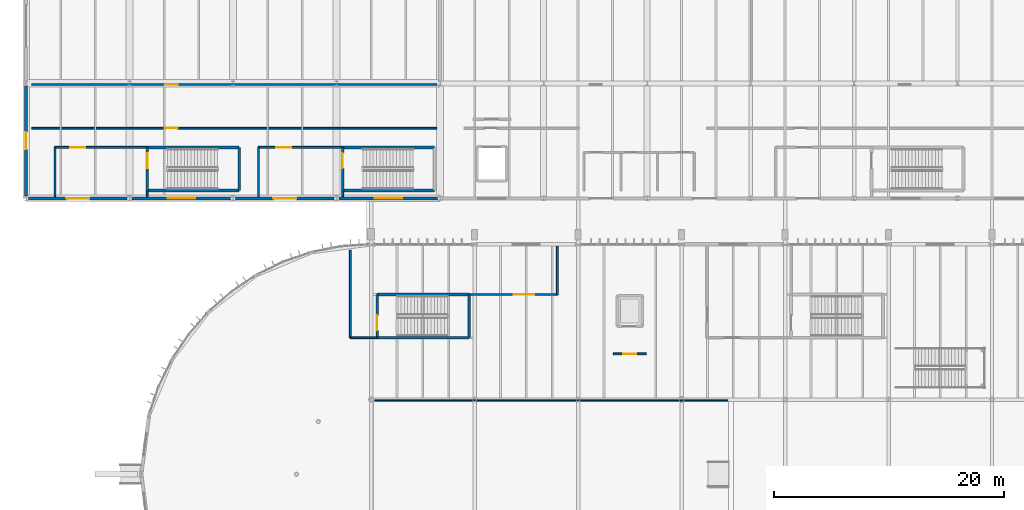
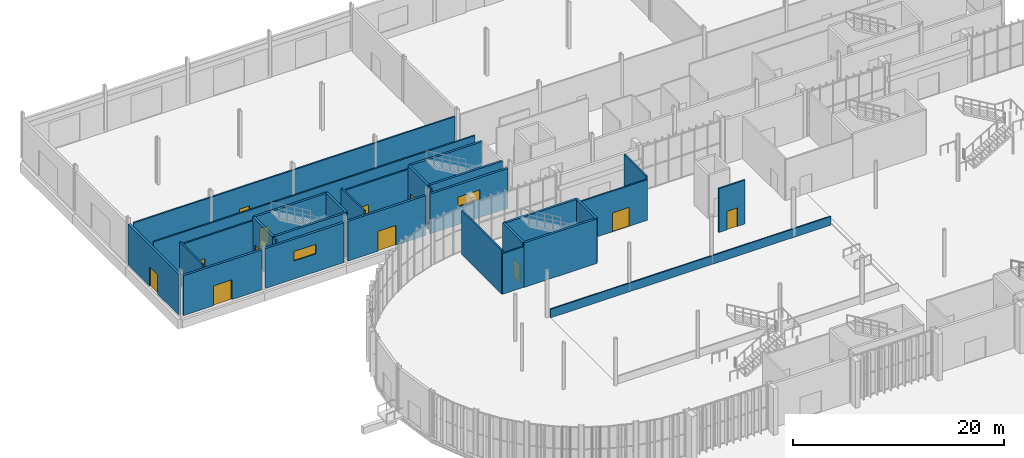
# One storey, part 123 of 158: 30 walls, 12 doors, 2 windows, 14 openings.
"""IFC4 building model written with IfcOpenShell, lengths in metres."""

from ifc_helpers import new_model, si_unit, derived_unit, direction, frame, frame_2d, origin, place, context, subcontext, project, spatial, rectangle, extrude, material, layer, layer_set, type_object, element, fill, save


model = new_model("IFC4")

# Units and contexts
model_context = context("Model", 3, precision=1e-05, world=origin(), true_north=direction((0.0, 1.0)))
body_context = subcontext(model_context, "Body", "Model", "MODEL_VIEW")
ifc_project = project(units=[si_unit("LENGTHUNIT", "METRE"), si_unit("AREAUNIT", "SQUARE_METRE"), si_unit("VOLUMEUNIT", "CUBIC_METRE"), si_unit("PLANEANGLEUNIT", "RADIAN"), si_unit("MASSUNIT", "GRAM", prefix="KILO"), si_unit("THERMODYNAMICTEMPERATUREUNIT", "KELVIN"), si_unit("TIMEUNIT", "SECOND"), derived_unit("THERMALTRANSMITTANCEUNIT", [(si_unit("MASSUNIT", "GRAM", prefix="KILO"), 1), (si_unit("THERMODYNAMICTEMPERATUREUNIT", "KELVIN"), -1), (si_unit("TIMEUNIT", "SECOND"), -3)])], contexts=[model_context])

# Site, building, storey
site_placement = place(None, origin())
site = spatial("IfcSite", under=ifc_project, at=site_placement, CompositionType="ELEMENT")
building_placement = place(site_placement, origin())
building = spatial("IfcBuilding", under=site, at=building_placement, Name="Cambertide Market Hall", CompositionType="ELEMENT")
storey_placement = place(building_placement, origin())
storey = spatial("IfcBuildingStorey", under=building, at=storey_placement, Name="L01", CompositionType="ELEMENT", Elevation=0.0)

# Wall, opening, door
ifc_material_1 = material(Name="Autoclaved Aerated Concrete Blockwork M7.5", Category="masonry")
ifc_layer_1 = layer(ifc_material_1, 0.260009765625, Name="Cold-Chain Insulated Facade Wall 260")
ifc_layer_set_1 = layer_set([ifc_layer_1], Name="Autoclaved Aerated Concrete Blockwork M7.5")
wall_type_1 = type_object("IfcWallType", Name="Cold-Chain Insulated Facade Wall 260", PredefinedType="SOLIDWALL", material=ifc_layer_set_1)
wall_1_placement = place(storey_placement, frame((12.0, 96.219970703125, 0.0), z_axis=(0.0, 0.0, 1.0), x_axis=(0.0, 1.0, 0.0)))
wall_1 = element("IfcWall", 1, at=wall_1_placement, inside=storey, type_object=wall_type_1, Name="Level 1 Exterior Wall EW-L01-V2W-1", PredefinedType="SOLIDWALL", context=body_context, shape_type="SweptSolid", body=[
    extrude(rectangle(XDim=9.56005859375, YDim=0.260009765625, at=frame_2d((4.780029296875, 0.0))), origin(), (0.0, 0.0, 1.0), 4.7099609375),
])
opening_1_placement = place(wall_1_placement, frame((4.030029296875, 0.0, 0.0)))
opening_1 = element("IfcOpeningElement", 2, at=opening_1_placement, cuts=wall_1, Name="Opening ED-04", PredefinedType="OPENING", context=body_context, shape_type="SweptSolid", body=[
    extrude(rectangle(XDim=1.5, YDim=2.25, at=frame_2d((0.75, 1.125))), frame((0.0, 0.139892578125, 0.0), z_axis=(0.0, -1.0, 0.0), x_axis=(1.0, 0.0, 0.0)), (0.0, 0.0, 1.0), 0.280029296875),
])
ifc_material_2 = material(Name="Powder-Coated Galvanized Sheet Metal", Category="metal")
door_type_1 = type_object("IfcDoorType", Name="Stair Final Discharge Exit Door 1500x2250", OperationType="NOTDEFINED", PredefinedType="DOOR", material=ifc_material_2)
door_1_placement = place(opening_1_placement, origin())
door_1 = element("IfcDoor", 3, at=door_1_placement, inside=storey, type_object=door_type_1, Name="Level 1 Exterior Door EW-L01-V2W-1-DR", OperationType="SINGLE_SWING_LEFT", OverallHeight=2.25, OverallWidth=1.5, PredefinedType="DOOR", context=body_context, shape_type="SweptSolid", body=[
    extrude(rectangle(XDim=1.5, YDim=2.25, at=frame_2d((0.75, 1.125))), frame((0.0, 0.02490234375, 0.0), z_axis=(0.0, -1.0, 0.0), x_axis=(1.0, 0.0, 0.0)), (0.0, 0.0, 1.0), 0.050048828125),
])
fill(opening_1, door_1)

ifc_material_3 = material(Name="Autoclaved Aerated Concrete Blockwork M7.5", Category="masonry")
ifc_layer_2 = layer(ifc_material_3, 0.159912109375, Name="Fire-Rated Corridor & Kitchen Partition 160")
ifc_layer_set_2 = layer_set([ifc_layer_2], Name="Autoclaved Aerated Concrete Blockwork M7.5")
wall_type_2 = type_object("IfcWallType", Name="Fire-Rated Corridor & Kitchen Partition 160", PredefinedType="PARTITIONING", material=ifc_layer_set_2)
wall_2_placement = place(storey_placement, frame((12.5, 105.89990234375, 0.0), z_axis=(0.0, 0.0, 1.0), x_axis=(1.0, 0.0, 0.0)))
wall_2 = element("IfcWall", 4, at=wall_2_placement, inside=storey, type_object=wall_type_2, Name="Level 1 Interior Wall IW-L01-V2N-1", PredefinedType="PARTITIONING", context=body_context, shape_type="SweptSolid", body=[
    extrude(rectangle(XDim=35.199951171875, YDim=0.159912109375, at=frame_2d((17.60009765625, 0.0))), origin(), (0.0, 0.0, 1.0), 4.610107421875),
])
opening_2_placement = place(wall_2_placement, frame((11.611083984375, 0.0, 0.0)))
opening_2 = element("IfcOpeningElement", 5, at=opening_2_placement, cuts=wall_2, Name="Opening KD-01", PredefinedType="OPENING", context=body_context, shape_type="SweptSolid", body=[
    extrude(rectangle(XDim=1.050048828125, YDim=2.14990234375, at=frame_2d((0.52490234375, 1.074951171875))), frame((0.0, 0.08984375, 0.0), z_axis=(0.0, -1.0, 0.0), x_axis=(1.0, 0.0, 0.0)), (0.0, 0.0, 1.0), 0.179931640625),
])
ifc_material_4 = material(Name="Stainless Steel Grade 316", Category="metal")
door_type_2 = type_object("IfcDoorType", Name="Kitchen & Lab Fire Door 1050x2150", OperationType="NOTDEFINED", PredefinedType="DOOR", material=ifc_material_4)
door_2_placement = place(opening_2_placement, origin())
door_2 = element("IfcDoor", 6, at=door_2_placement, inside=storey, type_object=door_type_2, Name="Level 1 Door IW-L01-V2N-1-DR1", OperationType="SINGLE_SWING_RIGHT", OverallHeight=2.14990234375, OverallWidth=1.050048828125, PredefinedType="DOOR", context=body_context, shape_type="SweptSolid", body=[
    extrude(rectangle(XDim=1.050048828125, YDim=2.14990234375, at=frame_2d((0.52490234375, 1.074951171875))), frame((0.0, 0.02490234375, 0.0), z_axis=(0.0, -1.0, 0.0), x_axis=(1.0, 0.0, 0.0)), (0.0, 0.0, 1.0), 0.050048828125),
])
fill(opening_2, door_2)

wall_3_placement = place(storey_placement, frame((12.5, 102.10009765625, 0.0), z_axis=(0.0, 0.0, 1.0), x_axis=(1.0, 0.0, 0.0)))
wall_3 = element("IfcWall", 7, at=wall_3_placement, inside=storey, type_object=wall_type_2, Name="Level 1 Interior Wall IW-L01-V2S-1", PredefinedType="PARTITIONING", context=body_context, shape_type="SweptSolid", body=[
    extrude(rectangle(XDim=35.199951171875, YDim=0.159912109375, at=frame_2d((17.60009765625, 0.0))), origin(), (0.0, 0.0, 1.0), 4.7099609375),
])
opening_3_placement = place(wall_3_placement, frame((11.611083984375, 0.0, 0.0)))
opening_3 = element("IfcOpeningElement", 8, at=opening_3_placement, cuts=wall_3, Name="Opening KD-01", PredefinedType="OPENING", context=body_context, shape_type="SweptSolid", body=[
    extrude(rectangle(XDim=1.050048828125, YDim=2.14990234375, at=frame_2d((0.52490234375, 1.074951171875))), frame((0.0, 0.08984375, 0.0), z_axis=(0.0, -1.0, 0.0), x_axis=(1.0, 0.0, 0.0)), (0.0, 0.0, 1.0), 0.179931640625),
])
door_3_placement = place(opening_3_placement, origin())
door_3 = element("IfcDoor", 9, at=door_3_placement, inside=storey, type_object=door_type_2, Name="Level 1 Door IW-L01-V2S-1-DR1", OperationType="SINGLE_SWING_LEFT", OverallHeight=2.14990234375, OverallWidth=1.050048828125, PredefinedType="DOOR", context=body_context, shape_type="SweptSolid", body=[
    extrude(rectangle(XDim=1.050048828125, YDim=2.14990234375, at=frame_2d((0.52490234375, 1.074951171875))), frame((0.0, 0.02490234375, 0.0), z_axis=(0.0, -1.0, 0.0), x_axis=(1.0, 0.0, 0.0)), (0.0, 0.0, 1.0), 0.050048828125),
])
fill(opening_3, door_3)

ifc_material_5 = material(Name="Autoclaved Aerated Concrete Blockwork M7.5", Category="masonry")
ifc_layer_3 = layer(ifc_material_5, 0.25, Name="Insulated AAC Exterior Infill Wall 250")
ifc_layer_set_3 = layer_set([ifc_layer_3], Name="Autoclaved Aerated Concrete Blockwork M7.5")
wall_type_3 = type_object("IfcWallType", Name="Insulated AAC Exterior Infill Wall 250", PredefinedType="SOLIDWALL", material=ifc_layer_set_3)
wall_4_placement = place(storey_placement, frame((20.780029296875, 96.0, 0.0), z_axis=(0.0, 0.0, 1.0), x_axis=(-1.0, 0.0, 0.0)))
wall_4 = element("IfcWall", 10, at=wall_4_placement, inside=storey, type_object=wall_type_3, Name="Level 1 Exterior Wall EW-L01-V2S-1", PredefinedType="SOLIDWALL", context=body_context, shape_type="SweptSolid", body=[
    extrude(rectangle(XDim=8.56005859375, YDim=0.25, at=frame_2d((4.280029296875, 0.0))), origin(), (0.0, 0.0, 1.0), 4.610107421875),
])
opening_4_placement = place(wall_4_placement, frame((3.280029296875, 0.0, 0.0)))
opening_4 = element("IfcOpeningElement", 11, at=opening_4_placement, cuts=wall_4, Name="Opening ED-01", PredefinedType="OPENING", context=body_context, shape_type="SweptSolid", body=[
    extrude(rectangle(XDim=2.0, YDim=2.300048828125, at=frame_2d((1.0, 1.14990234375))), frame((0.0, 0.135009765625, 0.0), z_axis=(0.0, -1.0, 0.0), x_axis=(1.0, 0.0, 0.0)), (0.0, 0.0, 1.0), 0.27001953125),
])
ifc_material_6 = material(Name="Champagne Marine Anodized Aluminium 6063-T6 AA25", Category="aluminium")
door_type_3 = type_object("IfcDoorType", Name="Final Exit Double Door 2000x2300", OperationType="DOUBLE_DOOR_SINGLE_SWING", PredefinedType="DOOR", material=ifc_material_6)
door_4_placement = place(opening_4_placement, origin())
door_4 = element("IfcDoor", 12, at=door_4_placement, inside=storey, type_object=door_type_3, Name="Level 1 Exterior Door EW-L01-V2S-1-DR", OperationType="DOUBLE_DOOR_SINGLE_SWING", OverallHeight=2.300048828125, OverallWidth=2.0, PredefinedType="DOOR", context=body_context, shape_type="SweptSolid", body=[
    extrude(rectangle(XDim=2.0, YDim=2.300048828125, at=frame_2d((1.0, 1.14990234375))), frame((0.0, 0.02490234375, 0.0), z_axis=(0.0, -1.0, 0.0), x_axis=(1.0, 0.0, 0.0)), (0.0, 0.0, 1.0), 0.050048828125),
])
fill(opening_4, door_4)

# Wall, opening, window
wall_5_placement = place(storey_placement, frame((29.780029296875, 96.0, 0.0), z_axis=(0.0, 0.0, 1.0), x_axis=(-1.0, 0.0, 0.0)))
wall_5 = element("IfcWall", 13, at=wall_5_placement, inside=storey, type_object=wall_type_3, Name="Level 1 Exterior Wall EW-L01-V2S-2", PredefinedType="SOLIDWALL", context=body_context, shape_type="SweptSolid", body=[
    extrude(rectangle(XDim=8.56005859375, YDim=0.25, at=frame_2d((4.280029296875, 0.0))), origin(), (0.0, 0.0, 1.0), 4.610107421875),
])
opening_5_placement = place(wall_5_placement, frame((3.080078125, 0.0, 2.10009765625)))
opening_5 = element("IfcOpeningElement", 14, at=opening_5_placement, cuts=wall_5, Name="Opening WN-01", PredefinedType="OPENING", context=body_context, shape_type="SweptSolid", body=[
    extrude(rectangle(XDim=2.39990234375, YDim=1.10009765625, at=frame_2d((1.199951171875, 0.550048828125))), frame((0.0, 0.135009765625, 0.0), z_axis=(0.0, -1.0, 0.0), x_axis=(1.0, 0.0, 0.0)), (0.0, 0.0, 1.0), 0.27001953125),
])
ifc_material_7 = material(Name="Low-E Laminated Insulated Glass", Category="glass")
window_type = type_object("IfcWindowType", Name="Service Arcade Clerestory Window 2400x1100", PartitioningType="SINGLE_PANEL", PredefinedType="WINDOW", material=ifc_material_7)
window_1_placement = place(opening_5_placement, origin())
window_1 = element("IfcWindow", 15, at=window_1_placement, inside=storey, type_object=window_type, Name="Level 1 Window EW-L01-V2S-2-WN", OverallHeight=1.10009765625, OverallWidth=2.39990234375, PartitioningType="SINGLE_PANEL", PredefinedType="WINDOW", context=body_context, shape_type="SweptSolid", body=[
    extrude(rectangle(XDim=2.39990234375, YDim=1.10009765625, at=frame_2d((1.199951171875, 0.550048828125))), frame((0.0, 0.030029296875, 0.0), z_axis=(0.0, -1.0, 0.0), x_axis=(1.0, 0.0, 0.0)), (0.0, 0.0, 1.0), 0.06005859375),
])
fill(opening_5, window_1)

# Wall, opening, door
wall_6_placement = place(storey_placement, frame((38.780029296875, 96.0, 0.0), z_axis=(0.0, 0.0, 1.0), x_axis=(-1.0, 0.0, 0.0)))
wall_6 = element("IfcWall", 16, at=wall_6_placement, inside=storey, type_object=wall_type_3, Name="Level 1 Exterior Wall EW-L01-V2S-3", PredefinedType="SOLIDWALL", context=body_context, shape_type="SweptSolid", body=[
    extrude(rectangle(XDim=8.56005859375, YDim=0.25, at=frame_2d((4.280029296875, 0.0))), origin(), (0.0, 0.0, 1.0), 4.610107421875),
])
opening_6_placement = place(wall_6_placement, frame((3.280029296875, 0.0, 0.0)))
opening_6 = element("IfcOpeningElement", 17, at=opening_6_placement, cuts=wall_6, Name="Opening ED-01", PredefinedType="OPENING", context=body_context, shape_type="SweptSolid", body=[
    extrude(rectangle(XDim=2.0, YDim=2.300048828125, at=frame_2d((1.0, 1.14990234375))), frame((0.0, 0.135009765625, 0.0), z_axis=(0.0, -1.0, 0.0), x_axis=(1.0, 0.0, 0.0)), (0.0, 0.0, 1.0), 0.27001953125),
])
door_5_placement = place(opening_6_placement, origin())
door_5 = element("IfcDoor", 18, at=door_5_placement, inside=storey, type_object=door_type_3, Name="Level 1 Exterior Door EW-L01-V2S-3-DR", OperationType="DOUBLE_DOOR_SINGLE_SWING", OverallHeight=2.300048828125, OverallWidth=2.0, PredefinedType="DOOR", context=body_context, shape_type="SweptSolid", body=[
    extrude(rectangle(XDim=2.0, YDim=2.300048828125, at=frame_2d((1.0, 1.14990234375))), frame((0.0, 0.02490234375, 0.0), z_axis=(0.0, -1.0, 0.0), x_axis=(1.0, 0.0, 0.0)), (0.0, 0.0, 1.0), 0.050048828125),
])
fill(opening_6, door_5)

# Wall, opening, window
wall_7_placement = place(storey_placement, frame((47.780029296875, 96.0, 0.0), z_axis=(0.0, 0.0, 1.0), x_axis=(-1.0, 0.0, 0.0)))
wall_7 = element("IfcWall", 19, at=wall_7_placement, inside=storey, type_object=wall_type_3, Name="Level 1 Exterior Wall EW-L01-V2S-4", PredefinedType="SOLIDWALL", context=body_context, shape_type="SweptSolid", body=[
    extrude(rectangle(XDim=8.56005859375, YDim=0.25, at=frame_2d((4.280029296875, 0.0))), origin(), (0.0, 0.0, 1.0), 4.610107421875),
])
opening_7_placement = place(wall_7_placement, frame((3.080078125, 0.0, 2.10009765625)))
opening_7 = element("IfcOpeningElement", 20, at=opening_7_placement, cuts=wall_7, Name="Opening WN-01", PredefinedType="OPENING", context=body_context, shape_type="SweptSolid", body=[
    extrude(rectangle(XDim=2.39990234375, YDim=1.10009765625, at=frame_2d((1.199951171875, 0.550048828125))), frame((0.0, 0.135009765625, 0.0), z_axis=(0.0, -1.0, 0.0), x_axis=(1.0, 0.0, 0.0)), (0.0, 0.0, 1.0), 0.27001953125),
])
window_2_placement = place(opening_7_placement, origin())
window_2 = element("IfcWindow", 21, at=window_2_placement, inside=storey, type_object=window_type, Name="Level 1 Window EW-L01-V2S-4-WN", OverallHeight=1.10009765625, OverallWidth=2.39990234375, PartitioningType="SINGLE_PANEL", PredefinedType="WINDOW", context=body_context, shape_type="SweptSolid", body=[
    extrude(rectangle(XDim=2.39990234375, YDim=1.10009765625, at=frame_2d((1.199951171875, 0.550048828125))), frame((0.0, 0.030029296875, 0.0), z_axis=(0.0, -1.0, 0.0), x_axis=(1.0, 0.0, 0.0)), (0.0, 0.0, 1.0), 0.06005859375),
])
fill(opening_7, window_2)

# Wall, opening, door
ifc_material_8 = material(Name="Autoclaved Aerated Concrete Blockwork M7.5", Category="masonry")
ifc_layer_4 = layer(ifc_material_8, 0.169921875, Name="Lift Lobby Fire Partition 170")
ifc_layer_set_4 = layer_set([ifc_layer_4], Name="Autoclaved Aerated Concrete Blockwork M7.5")
wall_type_4 = type_object("IfcWallType", Name="Lift Lobby Fire Partition 170", PredefinedType="PARTITIONING", material=ifc_layer_set_4)
wall_8_placement = place(storey_placement, frame((65.929931640625, 82.469970703125, 0.0), z_axis=(0.0, 0.0, 1.0), x_axis=(-1.0, 0.0, 0.0)))
wall_8 = element("IfcWall", 22, at=wall_8_placement, inside=storey, type_object=wall_type_4, Name="Level 1 Interior Wall LLW-LP-01-L01", PredefinedType="PARTITIONING", context=body_context, shape_type="SweptSolid", body=[
    extrude(rectangle(XDim=2.85986328125, YDim=0.169921875, at=frame_2d((1.429931640625, 0.0))), origin(), (0.0, 0.0, 1.0), 5.080078125),
])
opening_8_placement = place(wall_8_placement, frame((0.85498046875, 0.0, 0.0)))
opening_8 = element("IfcOpeningElement", 23, at=opening_8_placement, cuts=wall_8, Name="Opening KD-02", PredefinedType="OPENING", context=body_context, shape_type="SweptSolid", body=[
    extrude(rectangle(XDim=1.14990234375, YDim=2.14990234375, at=frame_2d((0.574951171875, 1.074951171875))), frame((0.0, 0.094970703125, 0.0), z_axis=(0.0, -1.0, 0.0), x_axis=(1.0, 0.0, 0.0)), (0.0, 0.0, 1.0), 0.18994140625),
])
ifc_material_9 = material(Name="Stainless Steel Grade 316", Category="metal")
door_type_4 = type_object("IfcDoorType", Name="Lift Lobby Smoke-Stop Door 1150x2150", OperationType="NOTDEFINED", PredefinedType="DOOR", material=ifc_material_9)
door_6_placement = place(opening_8_placement, origin())
door_6 = element("IfcDoor", 24, at=door_6_placement, inside=storey, type_object=door_type_4, Name="Level 1 Door LLW-LP-01-L01-DR1", OperationType="SINGLE_SWING_LEFT", OverallHeight=2.14990234375, OverallWidth=1.14990234375, PredefinedType="DOOR", context=body_context, shape_type="SweptSolid", body=[
    extrude(rectangle(XDim=1.14990234375, YDim=2.14990234375, at=frame_2d((0.574951171875, 1.074951171875))), frame((0.0, 0.02490234375, 0.0), z_axis=(0.0, -1.0, 0.0), x_axis=(1.0, 0.0, 0.0)), (0.0, 0.0, 1.0), 0.050048828125),
])
fill(opening_8, door_6)

# Walls
ifc_material_10 = material(Name="Autoclaved Aerated Concrete Blockwork M7.5", Category="masonry")
ifc_layer_5 = layer(ifc_material_10, 0.1650390625, Name="Protected Exit Passageway Fire Wall 165")
ifc_layer_set_5 = layer_set([ifc_layer_5], Name="Autoclaved Aerated Concrete Blockwork M7.5")
wall_type_5 = type_object("IfcWallType", Name="Protected Exit Passageway Fire Wall 165", PredefinedType="PARTITIONING", material=ifc_layer_set_5)
wall_9_placement = place(storey_placement, frame((40.199951171875, 83.875, 0.0), z_axis=(0.0, 0.0, 1.0), x_axis=(0.0, 1.0, 0.0)))
element("IfcWall", 25, at=wall_9_placement, inside=storey, type_object=wall_type_5, Name="Level 1 Interior Wall EXW-ST01-W", PredefinedType="PARTITIONING", context=body_context, shape_type="SweptSolid", body=[
    extrude(rectangle(XDim=7.625, YDim=0.1650390625, at=frame_2d((3.8125, 0.0))), origin(), (0.0, 0.0, 1.0), 5.080078125),
])
wall_10_placement = place(storey_placement, frame((40.199951171875, 83.875, 0.0), z_axis=(0.0, 0.0, 1.0), x_axis=(1.0, 0.0, 0.0)))
element("IfcWall", 26, at=wall_10_placement, inside=storey, type_object=wall_type_5, Name="Level 1 Interior Wall EXW-ST01-S1", PredefinedType="PARTITIONING", context=body_context, shape_type="SweptSolid", body=[
    extrude(rectangle(XDim=2.324951171875, YDim=0.1650390625, at=frame_2d((1.16259765625, 0.0))), origin(), (0.0, 0.0, 1.0), 4.7099609375),
])

# Wall, opening, door
wall_11_placement = place(storey_placement, frame((50.52490234375, 87.625, 0.0), z_axis=(0.0, 0.0, 1.0), x_axis=(1.0, 0.0, 0.0)))
wall_11 = element("IfcWall", 27, at=wall_11_placement, inside=storey, type_object=wall_type_5, Name="Level 1 Interior Wall EXW-ST01-S2", PredefinedType="PARTITIONING", context=body_context, shape_type="SweptSolid", body=[
    extrude(rectangle(XDim=7.675048828125, YDim=0.1650390625, at=frame_2d((3.83740234375, 0.0))), origin(), (0.0, 0.0, 1.0), 4.7099609375),
])
opening_9_placement = place(wall_11_placement, frame((3.87744140625, 0.0, 0.0)))
opening_9 = element("IfcOpeningElement", 28, at=opening_9_placement, cuts=wall_11, Name="Opening FD-02", PredefinedType="OPENING", context=body_context, shape_type="SweptSolid", body=[
    extrude(rectangle(XDim=1.800048828125, YDim=2.199951171875, at=frame_2d((0.89990234375, 1.10009765625))), frame((0.0, 0.092529296875, 0.0), z_axis=(0.0, -1.0, 0.0), x_axis=(1.0, 0.0, 0.0)), (0.0, 0.0, 1.0), 0.18505859375),
])
ifc_material_11 = material(Name="Powder-Coated Galvanized Sheet Metal", Category="metal")
door_type_5 = type_object("IfcDoorType", Name="Compartment Double Fire Door 1800x2200", OperationType="DOUBLE_DOOR_SINGLE_SWING", PredefinedType="DOOR", material=ifc_material_11)
door_7_placement = place(opening_9_placement, origin())
door_7 = element("IfcDoor", 29, at=door_7_placement, inside=storey, type_object=door_type_5, Name="Level 1 Door EXW-ST01-S2-DR1", OperationType="DOUBLE_DOOR_SINGLE_SWING", OverallHeight=2.199951171875, OverallWidth=1.800048828125, PredefinedType="DOOR", context=body_context, shape_type="SweptSolid", body=[
    extrude(rectangle(XDim=1.800048828125, YDim=2.199951171875, at=frame_2d((0.89990234375, 1.10009765625))), frame((0.0, 0.02490234375, 0.0), z_axis=(0.0, -1.0, 0.0), x_axis=(1.0, 0.0, 0.0)), (0.0, 0.0, 1.0), 0.050048828125),
])
fill(opening_9, door_7)

# Walls
wall_12_placement = place(storey_placement, frame((58.199951171875, 87.625, 0.0), z_axis=(0.0, 0.0, 1.0), x_axis=(0.0, 1.0, 0.0)))
element("IfcWall", 30, at=wall_12_placement, inside=storey, type_object=wall_type_5, Name="Level 1 Interior Wall EXW-ST01-E", PredefinedType="PARTITIONING", context=body_context, shape_type="SweptSolid", body=[
    extrude(rectangle(XDim=4.22509765625, YDim=0.1650390625, at=frame_2d((2.112548828125, 0.0))), origin(), (0.0, 0.0, 1.0), 5.080078125),
])
wall_13_placement = place(storey_placement, frame((14.5, 96.14990234375, 0.0), z_axis=(0.0, 0.0, 1.0), x_axis=(0.0, 1.0, 0.0)))
element("IfcWall", 31, at=wall_13_placement, inside=storey, type_object=wall_type_5, Name="Level 1 Interior Wall EXW-ST03-W", PredefinedType="PARTITIONING", context=body_context, shape_type="SweptSolid", body=[
    extrude(rectangle(XDim=4.275146484375, YDim=0.1650390625, at=frame_2d((2.1376953125, 0.0))), origin(), (0.0, 0.0, 1.0), 5.02001953125),
])

# Wall, opening, door
wall_14_placement = place(storey_placement, frame((14.5, 100.425048828125, 0.0), z_axis=(0.0, 0.0, 1.0), x_axis=(1.0, 0.0, 0.0)))
wall_14 = element("IfcWall", 32, at=wall_14_placement, inside=storey, type_object=wall_type_5, Name="Level 1 Interior Wall EXW-ST03-N", PredefinedType="PARTITIONING", context=body_context, shape_type="SweptSolid", body=[
    extrude(rectangle(XDim=8.02490234375, YDim=0.1650390625, at=frame_2d((4.012451171875, 0.0))), origin(), (0.0, 0.0, 1.0), 4.7099609375),
])
opening_10_placement = place(wall_14_placement, frame((1.344970703125, 0.0, 0.0)))
opening_10 = element("IfcOpeningElement", 33, at=opening_10_placement, cuts=wall_14, Name="Opening FD-01", PredefinedType="OPENING", context=body_context, shape_type="SweptSolid", body=[
    extrude(rectangle(XDim=1.300048828125, YDim=2.14990234375, at=frame_2d((0.64990234375, 1.074951171875))), frame((0.0, 0.092529296875, 0.0), z_axis=(0.0, -1.0, 0.0), x_axis=(1.0, 0.0, 0.0)), (0.0, 0.0, 1.0), 0.18505859375),
])
ifc_material_12 = material(Name="Powder-Coated Galvanized Sheet Metal", Category="metal")
door_type_6 = type_object("IfcDoorType", Name="Stair Core Fire Door 1300x2150", OperationType="NOTDEFINED", PredefinedType="DOOR", material=ifc_material_12)
door_8_placement = place(opening_10_placement, origin())
door_8 = element("IfcDoor", 34, at=door_8_placement, inside=storey, type_object=door_type_6, Name="Level 1 Door EXW-ST03-N-DR1", OperationType="SINGLE_SWING_RIGHT", OverallHeight=2.14990234375, OverallWidth=1.300048828125, PredefinedType="DOOR", context=body_context, shape_type="SweptSolid", body=[
    extrude(rectangle(XDim=1.300048828125, YDim=2.14990234375, at=frame_2d((0.64990234375, 1.074951171875))), frame((0.0, 0.02490234375, 0.0), z_axis=(0.0, -1.0, 0.0), x_axis=(1.0, 0.0, 0.0)), (0.0, 0.0, 1.0), 0.050048828125),
])
fill(opening_10, door_8)

# Walls
wall_15_placement = place(storey_placement, frame((22.52490234375, 96.14990234375, 0.0), z_axis=(0.0, 0.0, 1.0), x_axis=(0.0, 1.0, 0.0)))
element("IfcWall", 35, at=wall_15_placement, inside=storey, type_object=wall_type_5, Name="Level 1 Interior Wall EXW-ST03-E", PredefinedType="PARTITIONING", context=body_context, shape_type="SweptSolid", body=[
    extrude(rectangle(XDim=0.525146484375, YDim=0.1650390625, at=frame_2d((0.2626953125, 0.0))), origin(), (0.0, 0.0, 1.0), 5.02001953125),
])
wall_16_placement = place(storey_placement, frame((32.199951171875, 96.14990234375, 0.0), z_axis=(0.0, 0.0, 1.0), x_axis=(0.0, 1.0, 0.0)))
element("IfcWall", 36, at=wall_16_placement, inside=storey, type_object=wall_type_5, Name="Level 1 Interior Wall EXW-ST03B-W", PredefinedType="PARTITIONING", context=body_context, shape_type="SweptSolid", body=[
    extrude(rectangle(XDim=4.275146484375, YDim=0.1650390625, at=frame_2d((2.1376953125, 0.0))), origin(), (0.0, 0.0, 1.0), 5.02001953125),
])

# Wall, opening, door
wall_17_placement = place(storey_placement, frame((32.199951171875, 100.425048828125, 0.0), z_axis=(0.0, 0.0, 1.0), x_axis=(1.0, 0.0, 0.0)))
wall_17 = element("IfcWall", 37, at=wall_17_placement, inside=storey, type_object=wall_type_5, Name="Level 1 Interior Wall EXW-ST03B-N", PredefinedType="PARTITIONING", context=body_context, shape_type="SweptSolid", body=[
    extrude(rectangle(XDim=7.324951171875, YDim=0.1650390625, at=frame_2d((3.66259765625, 0.0))), origin(), (0.0, 0.0, 1.0), 4.7099609375),
])
opening_11_placement = place(wall_17_placement, frame((1.56640625, 0.0, 0.0)))
opening_11 = element("IfcOpeningElement", 38, at=opening_11_placement, cuts=wall_17, Name="Opening FD-01", PredefinedType="OPENING", context=body_context, shape_type="SweptSolid", body=[
    extrude(rectangle(XDim=1.300048828125, YDim=2.14990234375, at=frame_2d((0.64990234375, 1.074951171875))), frame((0.0, 0.092529296875, 0.0), z_axis=(0.0, -1.0, 0.0), x_axis=(1.0, 0.0, 0.0)), (0.0, 0.0, 1.0), 0.18505859375),
])
door_9_placement = place(opening_11_placement, origin())
door_9 = element("IfcDoor", 39, at=door_9_placement, inside=storey, type_object=door_type_6, Name="Level 1 Door EXW-ST03B-N-DR1", OperationType="SINGLE_SWING_LEFT", OverallHeight=2.14990234375, OverallWidth=1.300048828125, PredefinedType="DOOR", context=body_context, shape_type="SweptSolid", body=[
    extrude(rectangle(XDim=1.300048828125, YDim=2.14990234375, at=frame_2d((0.64990234375, 1.074951171875))), frame((0.0, 0.02490234375, 0.0), z_axis=(0.0, -1.0, 0.0), x_axis=(1.0, 0.0, 0.0)), (0.0, 0.0, 1.0), 0.050048828125),
])
fill(opening_11, door_9)

# Wall
wall_18_placement = place(storey_placement, frame((39.52490234375, 96.14990234375, 0.0), z_axis=(0.0, 0.0, 1.0), x_axis=(0.0, 1.0, 0.0)))
element("IfcWall", 40, at=wall_18_placement, inside=storey, type_object=wall_type_5, Name="Level 1 Interior Wall EXW-ST03B-E", PredefinedType="PARTITIONING", context=body_context, shape_type="SweptSolid", body=[
    extrude(rectangle(XDim=0.525146484375, YDim=0.1650390625, at=frame_2d((0.2626953125, 0.0))), origin(), (0.0, 0.0, 1.0), 5.02001953125),
])

# Wall, opening, door
ifc_material_13 = material(Name="Concrete B35", Category="concrete")
ifc_layer_6 = layer(ifc_material_13, 0.239990234375, Name="Stair & Lift Core Shaft Wall 240")
ifc_layer_set_6 = layer_set([ifc_layer_6], Name="Concrete B35")
wall_type_6 = type_object("IfcWallType", Name="Stair & Lift Core Shaft Wall 240", PredefinedType="SOLIDWALL", material=ifc_layer_set_6)
wall_19_placement = place(storey_placement, frame((42.52490234375, 83.875, 0.0), z_axis=(0.0, 0.0, 1.0), x_axis=(0.0, 1.0, 0.0)))
wall_19 = element("IfcWall", 41, at=wall_19_placement, inside=storey, type_object=wall_type_6, Name="Level 1 Interior Wall SHW-ST-01-L01-NEAR", PredefinedType="SOLIDWALL", context=body_context, shape_type="SweptSolid", body=[
    extrude(rectangle(XDim=3.75, YDim=0.239990234375, at=frame_2d((1.875, 0.0))), origin(), (0.0, 0.0, 1.0), 5.159912109375),
])
opening_12_placement = place(wall_19_placement, frame((0.636962890625, 0.0, 0.0)))
opening_12 = element("IfcOpeningElement", 42, at=opening_12_placement, cuts=wall_19, Name="Opening FD-01", PredefinedType="OPENING", context=body_context, shape_type="SweptSolid", body=[
    extrude(rectangle(XDim=1.300048828125, YDim=2.14990234375, at=frame_2d((0.64990234375, 1.074951171875))), frame((0.0, 0.1298828125, 0.0), z_axis=(0.0, -1.0, 0.0), x_axis=(1.0, 0.0, 0.0)), (0.0, 0.0, 1.0), 0.260009765625),
])
door_10_placement = place(opening_12_placement, origin())
door_10 = element("IfcDoor", 43, at=door_10_placement, inside=storey, type_object=door_type_6, Name="Level 1 Door SHW-ST-01-L01-NEAR-DR1", OperationType="SINGLE_SWING_LEFT", OverallHeight=2.14990234375, OverallWidth=1.300048828125, PredefinedType="DOOR", context=body_context, shape_type="SweptSolid", body=[
    extrude(rectangle(XDim=1.300048828125, YDim=2.14990234375, at=frame_2d((0.64990234375, 1.074951171875))), frame((0.0, 0.02490234375, 0.0), z_axis=(0.0, -1.0, 0.0), x_axis=(1.0, 0.0, 0.0)), (0.0, 0.0, 1.0), 0.050048828125),
])
fill(opening_12, door_10)

# Walls
wall_20_placement = place(storey_placement, frame((50.52490234375, 83.875, 0.0), z_axis=(0.0, 0.0, 1.0), x_axis=(-1.0, 0.0, 0.0)))
element("IfcWall", 44, at=wall_20_placement, inside=storey, type_object=wall_type_6, Name="Level 1 Interior Wall SHW-ST-01-L01-L", PredefinedType="SOLIDWALL", context=body_context, shape_type="SweptSolid", body=[
    extrude(rectangle(XDim=8.0, YDim=0.239990234375, at=frame_2d((4.0, 0.0))), origin(), (0.0, 0.0, 1.0), 5.159912109375),
])
wall_21_placement = place(storey_placement, frame((50.52490234375, 87.625, 0.0), z_axis=(0.0, 0.0, 1.0), x_axis=(0.0, -1.0, 0.0)))
element("IfcWall", 45, at=wall_21_placement, inside=storey, type_object=wall_type_6, Name="Level 1 Interior Wall SHW-ST-01-L01-FAR", PredefinedType="SOLIDWALL", context=body_context, shape_type="SweptSolid", body=[
    extrude(rectangle(XDim=3.75, YDim=0.239990234375, at=frame_2d((1.875, 0.0))), origin(), (0.0, 0.0, 1.0), 5.159912109375),
])
wall_22_placement = place(storey_placement, frame((42.52490234375, 87.625, 0.0), z_axis=(0.0, 0.0, 1.0), x_axis=(1.0, 0.0, 0.0)))
element("IfcWall", 46, at=wall_22_placement, inside=storey, type_object=wall_type_6, Name="Level 1 Interior Wall SHW-ST-01-L01-R", PredefinedType="SOLIDWALL", context=body_context, shape_type="SweptSolid", body=[
    extrude(rectangle(XDim=8.0, YDim=0.239990234375, at=frame_2d((4.0, 0.0))), origin(), (0.0, 0.0, 1.0), 5.159912109375),
])

# Wall, opening, door
wall_23_placement = place(storey_placement, frame((22.52490234375, 96.675048828125, 0.0), z_axis=(0.0, 0.0, 1.0), x_axis=(0.0, 1.0, 0.0)))
wall_23 = element("IfcWall", 47, at=wall_23_placement, inside=storey, type_object=wall_type_6, Name="Level 1 Interior Wall SHW-ST-03-L01-NEAR", PredefinedType="SOLIDWALL", context=body_context, shape_type="SweptSolid", body=[
    extrude(rectangle(XDim=3.75, YDim=0.239990234375, at=frame_2d((1.875, 0.0))), origin(), (0.0, 0.0, 1.0), 5.110107421875),
])
opening_13_placement = place(wall_23_placement, frame((1.9599609375, 0.0, 0.0)))
opening_13 = element("IfcOpeningElement", 48, at=opening_13_placement, cuts=wall_23, Name="Opening FD-01", PredefinedType="OPENING", context=body_context, shape_type="SweptSolid", body=[
    extrude(rectangle(XDim=1.300048828125, YDim=2.14990234375, at=frame_2d((0.64990234375, 1.074951171875))), frame((0.0, 0.1298828125, 0.0), z_axis=(0.0, -1.0, 0.0), x_axis=(1.0, 0.0, 0.0)), (0.0, 0.0, 1.0), 0.260009765625),
])
door_11_placement = place(opening_13_placement, origin())
door_11 = element("IfcDoor", 49, at=door_11_placement, inside=storey, type_object=door_type_6, Name="Level 1 Door SHW-ST-03-L01-NEAR-DR1", OperationType="SINGLE_SWING_RIGHT", OverallHeight=2.14990234375, OverallWidth=1.300048828125, PredefinedType="DOOR", context=body_context, shape_type="SweptSolid", body=[
    extrude(rectangle(XDim=1.300048828125, YDim=2.14990234375, at=frame_2d((0.64990234375, 1.074951171875))), frame((0.0, 0.02490234375, 0.0), z_axis=(0.0, -1.0, 0.0), x_axis=(1.0, 0.0, 0.0)), (0.0, 0.0, 1.0), 0.050048828125),
])
fill(opening_13, door_11)

# Walls
wall_24_placement = place(storey_placement, frame((30.52490234375, 96.675048828125, 0.0), z_axis=(0.0, 0.0, 1.0), x_axis=(-1.0, 0.0, 0.0)))
element("IfcWall", 50, at=wall_24_placement, inside=storey, type_object=wall_type_6, Name="Level 1 Interior Wall SHW-ST-03-L01-L", PredefinedType="SOLIDWALL", context=body_context, shape_type="SweptSolid", body=[
    extrude(rectangle(XDim=8.0, YDim=0.239990234375, at=frame_2d((4.0, 0.0))), origin(), (0.0, 0.0, 1.0), 5.110107421875),
])
wall_25_placement = place(storey_placement, frame((30.52490234375, 100.425048828125, 0.0), z_axis=(0.0, 0.0, 1.0), x_axis=(0.0, -1.0, 0.0)))
element("IfcWall", 51, at=wall_25_placement, inside=storey, type_object=wall_type_6, Name="Level 1 Interior Wall SHW-ST-03-L01-FAR", PredefinedType="SOLIDWALL", context=body_context, shape_type="SweptSolid", body=[
    extrude(rectangle(XDim=3.75, YDim=0.239990234375, at=frame_2d((1.875, 0.0))), origin(), (0.0, 0.0, 1.0), 5.110107421875),
])
wall_26_placement = place(storey_placement, frame((22.52490234375, 100.425048828125, 0.0), z_axis=(0.0, 0.0, 1.0), x_axis=(1.0, 0.0, 0.0)))
element("IfcWall", 52, at=wall_26_placement, inside=storey, type_object=wall_type_6, Name="Level 1 Interior Wall SHW-ST-03-L01-R", PredefinedType="SOLIDWALL", context=body_context, shape_type="SweptSolid", body=[
    extrude(rectangle(XDim=8.0, YDim=0.239990234375, at=frame_2d((4.0, 0.0))), origin(), (0.0, 0.0, 1.0), 5.110107421875),
])

# Wall, opening, door
wall_27_placement = place(storey_placement, frame((39.52490234375, 96.675048828125, 0.0), z_axis=(0.0, 0.0, 1.0), x_axis=(0.0, 1.0, 0.0)))
wall_27 = element("IfcWall", 53, at=wall_27_placement, inside=storey, type_object=wall_type_6, Name="Level 1 Interior Wall SHW-ST-03B-L01-NEAR", PredefinedType="SOLIDWALL", context=body_context, shape_type="SweptSolid", body=[
    extrude(rectangle(XDim=3.75, YDim=0.239990234375, at=frame_2d((1.875, 0.0))), origin(), (0.0, 0.0, 1.0), 5.110107421875),
])
opening_14_placement = place(wall_27_placement, frame((1.9599609375, 0.0, 0.0)))
opening_14 = element("IfcOpeningElement", 54, at=opening_14_placement, cuts=wall_27, Name="Opening FD-01", PredefinedType="OPENING", context=body_context, shape_type="SweptSolid", body=[
    extrude(rectangle(XDim=1.300048828125, YDim=2.14990234375, at=frame_2d((0.64990234375, 1.074951171875))), frame((0.0, 0.1298828125, 0.0), z_axis=(0.0, -1.0, 0.0), x_axis=(1.0, 0.0, 0.0)), (0.0, 0.0, 1.0), 0.260009765625),
])
door_12_placement = place(opening_14_placement, origin())
door_12 = element("IfcDoor", 55, at=door_12_placement, inside=storey, type_object=door_type_6, Name="Level 1 Door SHW-ST-03B-L01-NEAR-DR1", OperationType="SINGLE_SWING_LEFT", OverallHeight=2.14990234375, OverallWidth=1.300048828125, PredefinedType="DOOR", context=body_context, shape_type="SweptSolid", body=[
    extrude(rectangle(XDim=1.300048828125, YDim=2.14990234375, at=frame_2d((0.64990234375, 1.074951171875))), frame((0.0, 0.02490234375, 0.0), z_axis=(0.0, -1.0, 0.0), x_axis=(1.0, 0.0, 0.0)), (0.0, 0.0, 1.0), 0.050048828125),
])
fill(opening_14, door_12)

# Walls
for number, where, z_axis, x_axis, name in (
    (56, (47.52490234375, 96.675048828125, 0.0), (0.0, 0.0, 1.0), (-1.0, 0.0, 0.0), "Level 1 Interior Wall SHW-ST-03B-L01-L"),
    (57, (39.52490234375, 100.425048828125, 0.0), (0.0, 0.0, 1.0), (1.0, 0.0, 0.0), "Level 1 Interior Wall SHW-ST-03B-L01-R"),
):
    element("IfcWall", number, at=place(storey_placement, frame(where, z_axis=z_axis, x_axis=x_axis)), inside=storey, type_object=wall_type_6, Name=name, PredefinedType="SOLIDWALL", context=body_context, shape_type="SweptSolid", body=[
        extrude(rectangle(XDim=8.0, YDim=0.239990234375, at=frame_2d((4.0, 0.0))), origin(), (0.0, 0.0, 1.0), 5.110107421875),
    ])
ifc_material_14 = material(Name="Concrete B30", Category="concrete")
ifc_layer_7 = layer(ifc_material_14, 0.135009765625, Name="Wet-Market Washdown Splash Kerb 135")
ifc_layer_set_7 = layer_set([ifc_layer_7], Name="Concrete B30")
wall_type_7 = type_object("IfcWallType", Name="Wet-Market Washdown Splash Kerb 135", PredefinedType="PARTITIONING", material=ifc_layer_set_7)
wall_28_placement = place(storey_placement, frame((42.300048828125, 78.39990234375, -0.14990234375), z_axis=(0.0, 0.0, 1.0), x_axis=(1.0, 0.0, 0.0)))
element("IfcWall", 58, at=wall_28_placement, inside=storey, type_object=wall_type_7, Name="KRB-L01-WET-N", PredefinedType="PARTITIONING", context=body_context, shape_type="SweptSolid", body=[
    extrude(rectangle(XDim=30.699951171875, YDim=0.135009765625, at=frame_2d((15.35009765625, 0.0))), origin(), (0.0, 0.0, 1.0), 1.0),
])

save(model, "model.ifc")
